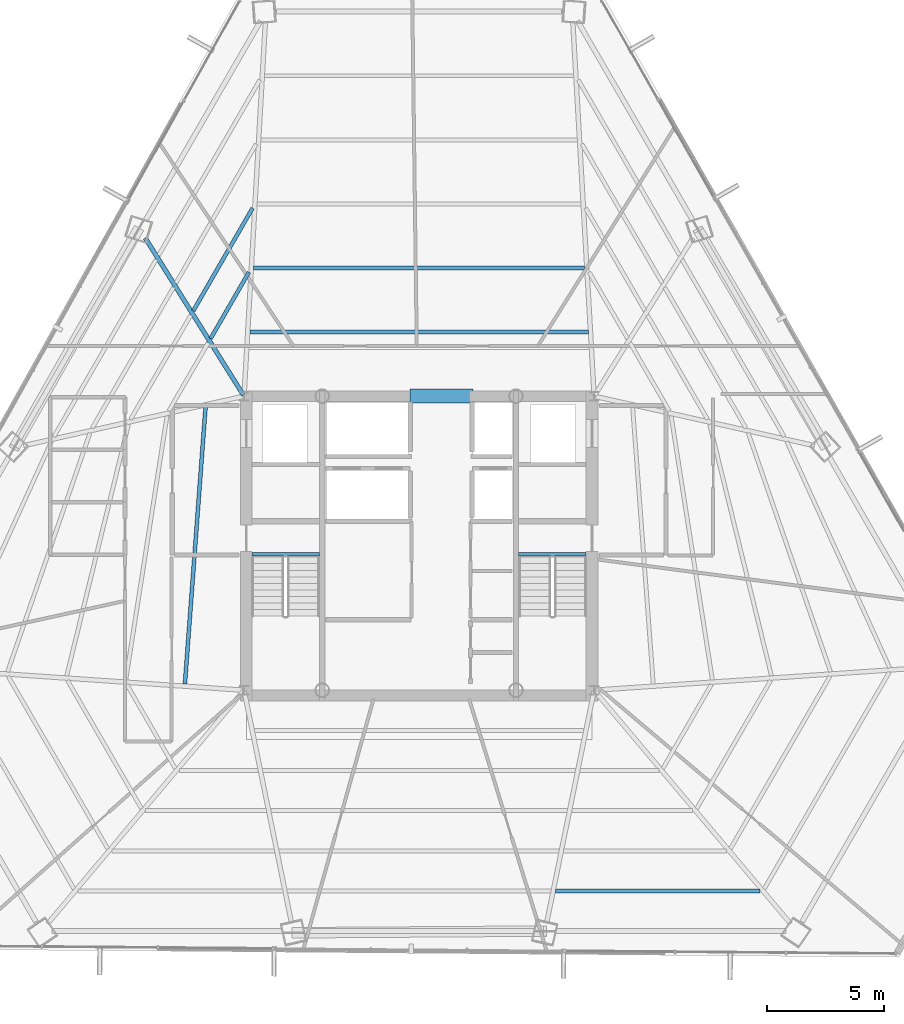
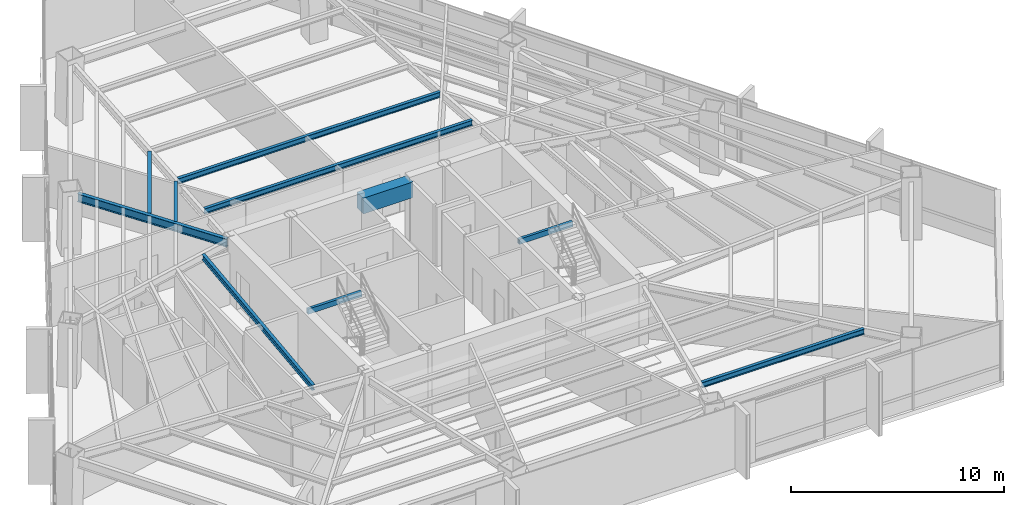
# One storey, part 16 of 39: 10 beams.
"""IFC4 building model written with IfcOpenShell, lengths in metres."""

from ifc_helpers import new_model, si_unit, direction, frame, origin, origin_2d, place, context, subcontext, project, spatial, rectangle, hollow_rectangle, i_section, extrude, source, transform, mapped, material, material_profile, profile_set, type_object, type_shapes, element, save


model = new_model("IFC4")

# Units and contexts
model_context = context("Model", 3, precision=1e-05, world=origin(), true_north=direction((0.0, 1.0)))
body_context = subcontext(model_context, "Body", "Model", "MODEL_VIEW")
ifc_project = project(units=[si_unit("LENGTHUNIT", "METRE"), si_unit("AREAUNIT", "SQUARE_METRE"), si_unit("VOLUMEUNIT", "CUBIC_METRE"), si_unit("PLANEANGLEUNIT", "RADIAN"), si_unit("MASSUNIT", "GRAM", prefix="KILO")], contexts=[model_context])

# Site, building, storey
site_placement = place(None, origin())
site = spatial("IfcSite", under=ifc_project, at=site_placement, CompositionType="ELEMENT")
building_placement = place(site_placement, origin())
building = spatial("IfcBuilding", under=site, at=building_placement, Name="Caelisora Broadcast Tower", CompositionType="ELEMENT")
storey_placement = place(building_placement, frame((0.0, 0.0, 139.10009765625)))
storey = spatial("IfcBuildingStorey", under=building, at=storey_placement, Name="L36", CompositionType="ELEMENT", Elevation=139.10009765625)

# Beams
ifc_material_1 = material(Name="Steel Grade 350 (AS/NZS 1163 C350L0)", Category="steel")
ifc_material_profile_1 = material_profile(ifc_material_1, hollow_rectangle(XDim=0.14990234375, YDim=0.300048828125, WallThickness=0.010009765625, at=origin_2d()), Name="Steel Grade 350 (AS/NZS 1163 C350L0)")
ifc_profile_set_1 = profile_set([ifc_material_profile_1], Name="Steel Grade 350 (AS/NZS 1163 C350L0)")
beam_type_1 = type_object("IfcBeamType", Name="SB05", PredefinedType="JOIST", material=ifc_profile_set_1)
shared_shape_1 = source(origin(), body_context, "Body", "SweptSolid", [
    extrude(hollow_rectangle(XDim=0.14990234375, YDim=0.300048828125, WallThickness=0.010009765625, at=origin_2d()), origin(), (0.0, 0.0, 1.0), 2.89990234375),
])
type_shapes(beam_type_1, [shared_shape_1])
for number, where, z_axis, x_axis, name in (
    (1, (30.840087890625, 23.219970703125, 3.25), (1.0, 0.0, 0.0), (0.0, 1.0, 0.0), "L36 beam SB05"),
    (2, (42.260009765625, 23.219970703125, 3.25), (1.0, 0.0, 0.0), (0.0, 1.0, 0.0), "L36 beam SB05"),
):
    element("IfcBeam", number, at=place(storey_placement, frame(where, z_axis=z_axis, x_axis=x_axis)), inside=storey, type_object=beam_type_1, Name=name, PredefinedType="JOIST", context=body_context, shape_type="MappedRepresentation", body=[
        mapped(shared_shape_1, transform((0.0, 0.0, 0.0), scale=1.0)),
    ])
ifc_material_2 = material(Name="Concrete 50 MPa (AS 3600 S50)", Category="concrete")
ifc_material_profile_2 = material_profile(ifc_material_2, rectangle(XDim=0.60009765625, YDim=0.89990234375, at=origin_2d()), Name="Concrete 50 MPa (AS 3600 S50)")
ifc_profile_set_2 = profile_set([ifc_material_profile_2], Name="Concrete 50 MPa (AS 3600 S50)")
beam_type_2 = type_object("IfcBeamType", Name="CB02", PredefinedType="LINTEL", material=ifc_profile_set_2)
shared_shape_2 = source(origin(), body_context, "Body", "SweptSolid", [
    extrude(rectangle(XDim=0.60009765625, YDim=0.89990234375, at=origin_2d()), origin(), (0.0, 0.0, 1.0), 2.699951171875),
])
type_shapes(beam_type_2, [shared_shape_2])
beam_1_placement = place(storey_placement, frame((37.60009765625, 30.0, 2.949951171875), z_axis=(1.0, 0.0, 0.0), x_axis=(0.0, 1.0, 0.0)))
element("IfcBeam", 3, at=beam_1_placement, inside=storey, type_object=beam_type_2, Name="L36 beam CB02", PredefinedType="LINTEL", context=body_context, shape_type="MappedRepresentation", body=[
    mapped(shared_shape_2, transform((0.0, 0.0, 0.0), scale=1.0)),
])
ifc_material_3 = material(Name="Steel Grade 350 (AS/NZS 3679.1)", Category="steel")
ifc_material_profile_3 = material_profile(ifc_material_3, i_section(OverallWidth=0.19091796875, OverallDepth=0.46044921875, WebThickness=0.010009765625, FlangeThickness=0.01611328125, at=origin_2d()), Name="Steel Grade 350 (AS/NZS 3679.1)")
ifc_profile_set_3 = profile_set([ifc_material_profile_3], Name="Steel Grade 350 (AS/NZS 3679.1)")
beam_type_3 = type_object("IfcBeamType", Name="PG06", PredefinedType="BEAM", material=ifc_profile_set_3)
shared_shape_3 = source(origin(), body_context, "Body", "SweptSolid", [
    extrude(i_section(OverallWidth=0.19091796875, OverallDepth=0.46044921875, WebThickness=0.010009765625, FlangeThickness=0.01611328125, at=origin_2d()), origin(), (0.0, 0.0, 1.0), 7.9287109375),
])
type_shapes(beam_type_3, [shared_shape_3])
beam_2_placement = place(storey_placement, frame((30.46826171875, 30.05078125, 3.169677734375), z_axis=(-0.529835629496, 0.848100351206, 0.0), x_axis=(-0.848100351206, -0.529835629496, 0.0)))
element("IfcBeam", 4, at=beam_2_placement, inside=storey, type_object=beam_type_3, Name="L36 beam PG06", PredefinedType="BEAM", context=body_context, shape_type="MappedRepresentation", body=[
    mapped(shared_shape_3, transform((0.0, 0.0, 0.0), scale=1.0)),
])
ifc_material_profile_4 = material_profile(ifc_material_3, i_section(OverallWidth=0.166015625, OverallDepth=0.30712890625, WebThickness=0.006591796875, FlangeThickness=0.01171875, at=origin_2d()), Name="Steel Grade 350 (AS/NZS 3679.1)")
ifc_profile_set_4 = profile_set([ifc_material_profile_4], Name="Steel Grade 350 (AS/NZS 3679.1)")
beam_type_4 = type_object("IfcBeamType", Name="SB03", PredefinedType="JOIST", material=ifc_profile_set_4)
shared_shape_4 = source(origin(), body_context, "Body", "SweptSolid", [
    extrude(i_section(OverallWidth=0.166015625, OverallDepth=0.30712890625, WebThickness=0.006591796875, FlangeThickness=0.01171875, at=origin_2d()), origin(), (0.0, 0.0, 1.0), 14.50146484375),
])
beam_3_placement = place(storey_placement, frame((45.250732421875, 32.745849609375, 3.246337890625), z_axis=(-1.0, 0.0, 0.0), x_axis=(0.0, -1.0, 0.0)))
element("IfcBeam", 5, at=beam_3_placement, inside=storey, type_object=beam_type_4, Name="L36 beam SB03", PredefinedType="JOIST", context=body_context, shape_type="MappedRepresentation", body=[
    mapped(shared_shape_4, transform((0.0, 0.0, 0.0), scale=1.0)),
])
shared_shape_5 = source(origin(), body_context, "Body", "SweptSolid", [
    extrude(i_section(OverallWidth=0.166015625, OverallDepth=0.30712890625, WebThickness=0.006591796875, FlangeThickness=0.01171875, at=origin_2d()), origin(), (0.0, 0.0, 1.0), 14.1884765625),
])
beam_4_placement = place(storey_placement, frame((45.09423828125, 35.49169921875, 3.246337890625), z_axis=(-1.0, 0.0, 0.0), x_axis=(0.0, -1.0, 0.0)))
element("IfcBeam", 6, at=beam_4_placement, inside=storey, type_object=beam_type_4, Name="L36 beam SB03", PredefinedType="JOIST", context=body_context, shape_type="MappedRepresentation", body=[
    mapped(shared_shape_5, transform((0.0, 0.0, 0.0), scale=1.0)),
])
shared_shape_6 = source(origin(), body_context, "Body", "SweptSolid", [
    extrude(i_section(OverallWidth=0.166015625, OverallDepth=0.30712890625, WebThickness=0.006591796875, FlangeThickness=0.01171875, at=origin_2d()), origin(), (0.0, 0.0, 1.0), 3.28173828125),
])
beam_5_placement = place(storey_placement, frame((30.70849609375, 35.310302734375, 3.246337890625), z_axis=(-0.500059447817, -0.865991078851, 0.0), x_axis=(0.865991078851, -0.500059447817, 0.0)))
element("IfcBeam", 7, at=beam_5_placement, inside=storey, type_object=beam_type_4, Name="L36 beam SB03", PredefinedType="JOIST", context=body_context, shape_type="MappedRepresentation", body=[
    mapped(shared_shape_6, transform((0.0, 0.0, 0.0), scale=1.0)),
])
shared_shape_7 = source(origin(), body_context, "Body", "SweptSolid", [
    extrude(i_section(OverallWidth=0.166015625, OverallDepth=0.30712890625, WebThickness=0.006591796875, FlangeThickness=0.01171875, at=origin_2d()), origin(), (0.0, 0.0, 1.0), 5.080078125),
])
beam_6_placement = place(storey_placement, frame((30.864990234375, 38.05615234375, 3.246337890625), z_axis=(-0.500005339912, -0.866022320763, 0.0), x_axis=(0.866022320763, -0.500005339912, 0.0)))
element("IfcBeam", 8, at=beam_6_placement, inside=storey, type_object=beam_type_4, Name="L36 beam SB03", PredefinedType="JOIST", context=body_context, shape_type="MappedRepresentation", body=[
    mapped(shared_shape_7, transform((0.0, 0.0, 0.0), scale=1.0)),
])
shared_shape_8 = source(origin(), body_context, "Body", "SweptSolid", [
    extrude(i_section(OverallWidth=0.166015625, OverallDepth=0.30712890625, WebThickness=0.006591796875, FlangeThickness=0.01171875, at=origin_2d()), origin(), (0.0, 0.0, 1.0), 11.901611328125),
])
beam_7_placement = place(storey_placement, frame((28.851318359375, 29.534912109375, 3.246337890625), z_axis=(-0.074360552583, -0.997231421597, 0.0), x_axis=(0.997231421597, -0.074360552583, 0.0)))
element("IfcBeam", 9, at=beam_7_placement, inside=storey, type_object=beam_type_4, Name="L36 beam SB03", PredefinedType="JOIST", context=body_context, shape_type="MappedRepresentation", body=[
    mapped(shared_shape_8, transform((0.0, 0.0, 0.0), scale=1.0)),
])
shared_shape_9 = source(origin(), body_context, "Body", "SweptSolid", [
    extrude(i_section(OverallWidth=0.166015625, OverallDepth=0.30712890625, WebThickness=0.006591796875, FlangeThickness=0.01171875, at=origin_2d()), origin(), (0.0, 0.0, 1.0), 8.7744140625),
])
type_shapes(beam_type_4, [shared_shape_4, shared_shape_5, shared_shape_6, shared_shape_7, shared_shape_8, shared_shape_9])
beam_8_placement = place(storey_placement, frame((43.83984375, 8.80078125, 3.246337890625), z_axis=(1.0, 0.0, 0.0), x_axis=(0.0, 1.0, 0.0)))
element("IfcBeam", 10, at=beam_8_placement, inside=storey, type_object=beam_type_4, Name="L36 beam SB03", PredefinedType="JOIST", context=body_context, shape_type="MappedRepresentation", body=[
    mapped(shared_shape_9, transform((0.0, 0.0, 0.0), scale=1.0)),
])

save(model, "model.ifc")
